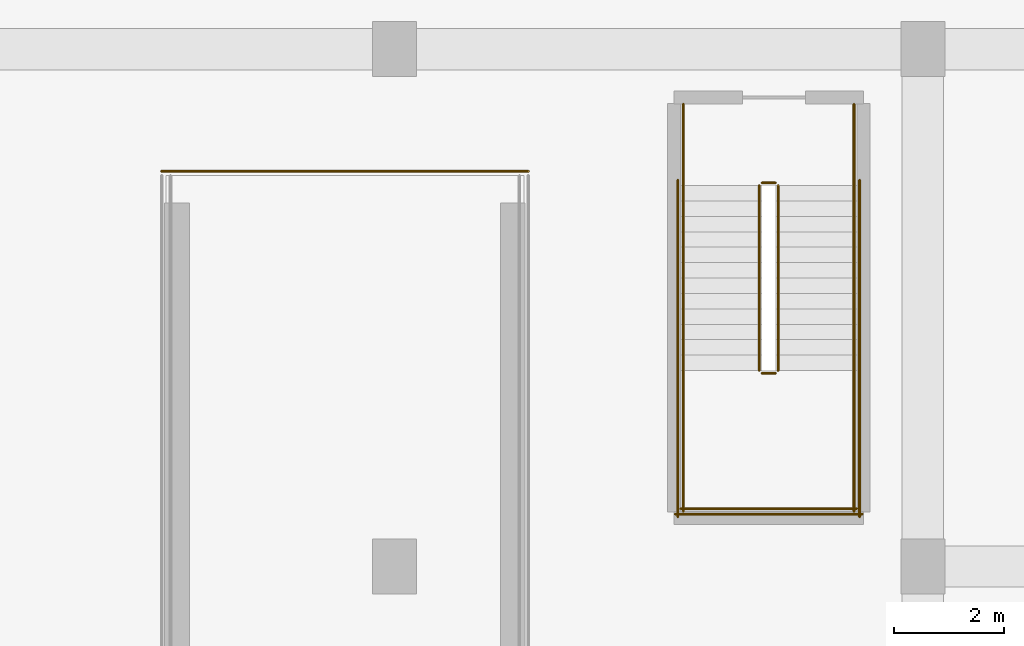
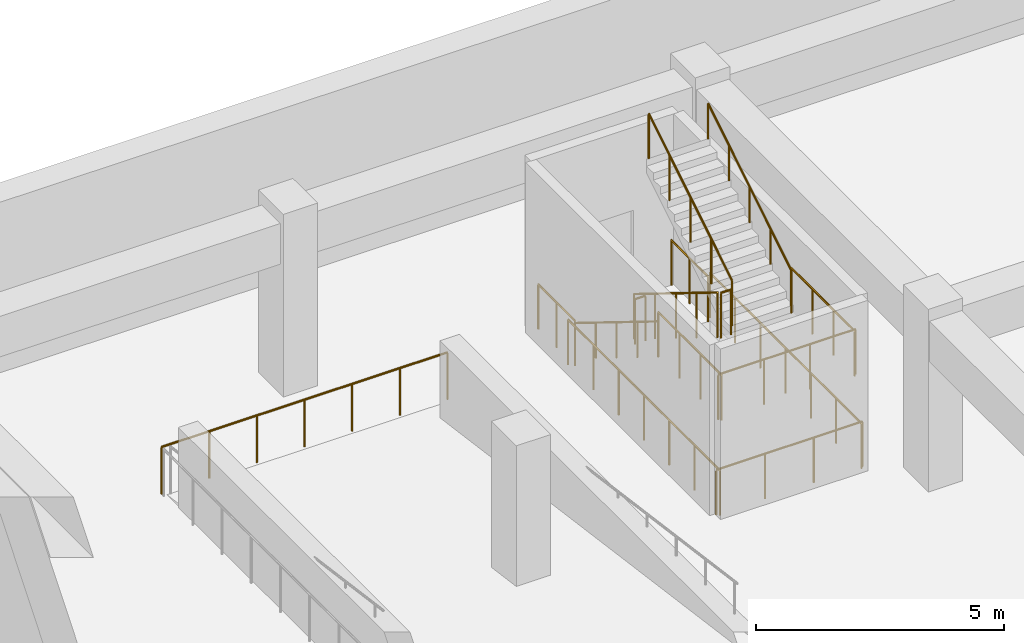
# One storey, part 7 of 9: 15 railings.
"""IFC4 building model written with IfcOpenShell, lengths in metres."""

from ifc_helpers import new_model, si_unit, direction, frame, origin, origin_2d, place, context, subcontext, project, spatial, circle, extrude, material, layer, layer_set, type_object, element, save


model = new_model("IFC4")

# Units and contexts
model_context = context("Model", 3, precision=1e-05, world=origin(), true_north=direction((0.0, 1.0)))
body_context = subcontext(model_context, "Body", "Model", "MODEL_VIEW")
ifc_project = project(units=[si_unit("LENGTHUNIT", "METRE"), si_unit("AREAUNIT", "SQUARE_METRE"), si_unit("VOLUMEUNIT", "CUBIC_METRE"), si_unit("PLANEANGLEUNIT", "RADIAN"), si_unit("MASSUNIT", "GRAM", prefix="KILO")], contexts=[model_context])

# Site, building, storey
site_placement = place(None, origin())
site = spatial("IfcSite", under=ifc_project, at=site_placement, CompositionType="ELEMENT")
building_placement = place(site_placement, origin())
building = spatial("IfcBuilding", under=site, at=building_placement, Name="Ndelora Gate Hotel", CompositionType="ELEMENT")
storey_placement = place(building_placement, frame((0.0, 0.0, -9.0)))
storey = spatial("IfcBuildingStorey", under=building, at=storey_placement, Name="B02", CompositionType="ELEMENT", Elevation=-9.0)

# Railings
ifc_material_1 = material(Name="Galvanized Crash-Rated Steel Guardrail", Category="steel")
ifc_layer_1 = layer(ifc_material_1, 0.080078125)
ifc_layer_set_1 = layer_set([ifc_layer_1], Name="Galvanized Crash-Rated Steel Guardrail")
railing_type_1 = type_object("IfcRailingType", Name="RL-RAMP-GD", PredefinedType="GUARDRAIL", material=ifc_layer_set_1)
railing_1_placement = place(storey_placement, frame((-34.6298828125, 16.580078125, 0.0)))
element("IfcRailing", 1, at=railing_1_placement, inside=storey, type_object=railing_type_1, Name="B02 Ramp R3 Well End Deck Guardrail", PredefinedType="GUARDRAIL", context=body_context, shape_type="SweptSolid", body=[
    extrude(circle(Radius=0.02392578125, at=origin_2d()), frame((0.0, 0.0, 1.15576171875), z_axis=(1.0, 0.0, 0.0), x_axis=(0.0, 1.0, 0.0)), (0.0, 0.0, 1.0), 6.659912109375),
    extrude(circle(Radius=0.02099609375, at=origin_2d()), origin(), (0.0, 0.0, 1.0), 1.1318359375),
    extrude(circle(Radius=0.02099609375, at=origin_2d()), frame((1.10986328125, 0.0, 0.0)), (0.0, 0.0, 1.0), 1.1318359375),
    extrude(circle(Radius=0.02099609375, at=origin_2d()), frame((2.219970703125, 0.0, 0.0)), (0.0, 0.0, 1.0), 1.1318359375),
    extrude(circle(Radius=0.02099609375, at=origin_2d()), frame((3.330078125, 0.0, 0.0)), (0.0, 0.0, 1.0), 1.1318359375),
    extrude(circle(Radius=0.02099609375, at=origin_2d()), frame((4.43994140625, 0.0, 0.0)), (0.0, 0.0, 1.0), 1.1318359375),
    extrude(circle(Radius=0.02099609375, at=origin_2d()), frame((5.5498046875, 0.0, 0.0)), (0.0, 0.0, 1.0), 1.1318359375),
    extrude(circle(Radius=0.02099609375, at=origin_2d()), frame((6.659912109375, 0.0, 0.0)), (0.0, 0.0, 1.0), 1.1318359375),
])
ifc_material_2 = material(Name="Painted Galvanized Steel Balustrade", Category="steel")
ifc_layer_2 = layer(ifc_material_2, 0.06005859375)
ifc_layer_set_2 = layer_set([ifc_layer_2], Name="Painted Galvanized Steel Balustrade")
railing_type_2 = type_object("IfcRailingType", Name="RL-STAIR-GD", PredefinedType="GUARDRAIL", material=ifc_layer_set_2)
railing_2_placement = place(storey_placement, frame((-23.77001953125, 16.320068359375, 0.173095703125)))
element("IfcRailing", 2, at=railing_2_placement, inside=storey, type_object=railing_type_2, Name="B02 ST1 stair guard 1", PredefinedType="GUARDRAIL", context=body_context, shape_type="SweptSolid", body=[
    extrude(circle(Radius=0.02392578125, at=origin_2d()), frame((0.0, 0.0, 1.10595703125), z_axis=(0.0, -0.850623216509, 0.525775754039), x_axis=(1.0, 0.0, 0.0)), (0.0, 0.0, 1.0), 3.9501953125),
    extrude(circle(Radius=0.02099609375, at=origin_2d()), origin(), (0.0, 0.0, 1.0), 1.081787109375),
    extrude(circle(Radius=0.02099609375, at=origin_2d()), frame((0.0, -0.840087890625, 0.519287109375)), (0.0, 0.0, 1.0), 1.081787109375),
    extrude(circle(Radius=0.02099609375, at=origin_2d()), frame((0.0, -1.68017578125, 1.03857421875)), (0.0, 0.0, 1.0), 1.081787109375),
    extrude(circle(Radius=0.02099609375, at=origin_2d()), frame((0.0, -2.52001953125, 1.5576171875)), (0.0, 0.0, 1.0), 1.081787109375),
    extrude(circle(Radius=0.02099609375, at=origin_2d()), frame((0.0, -3.360107421875, 2.076904296875)), (0.0, 0.0, 1.0), 1.081787109375),
])
railing_3_placement = place(storey_placement, frame((-23.719970703125, 12.909912109375, 2.25)))
element("IfcRailing", 3, at=railing_3_placement, inside=storey, type_object=railing_type_2, Name="B02 ST1 stair guard 2", PredefinedType="GUARDRAIL", context=body_context, shape_type="SweptSolid", body=[
    extrude(circle(Radius=0.02392578125, at=origin_2d()), frame((0.0, 0.0, 1.10595703125), z_axis=(1.0, 0.0, 0.0), x_axis=(0.0, 1.0, 0.0)), (0.0, 0.0, 1.0), 0.239990234375),
    extrude(circle(Radius=0.02099609375, at=origin_2d()), origin(), (0.0, 0.0, 1.0), 1.081787109375),
    extrude(circle(Radius=0.02099609375, at=origin_2d()), frame((0.239990234375, 0.0, 0.0)), (0.0, 0.0, 1.0), 1.081787109375),
])
for number, where, name in (
    (4, (-25.14990234375, 12.9599609375, 2.25), "B02 ST1 stair guard 3"),
    (5, (-22.050048828125, 12.9599609375, 2.25), "B02 ST1 stair guard 4"),
):
    element("IfcRailing", number, at=place(storey_placement, frame(where)), inside=storey, type_object=railing_type_2, Name=name, PredefinedType="GUARDRAIL", context=body_context, shape_type="SweptSolid", body=[
        extrude(circle(Radius=0.02392578125, at=origin_2d()), frame((0.0, 0.0, 1.10595703125), z_axis=(0.0, -1.0, 0.0), x_axis=(1.0, 0.0, 0.0)), (0.0, 0.0, 1.0), 2.56005859375),
        extrude(circle(Radius=0.02099609375, at=origin_2d()), origin(), (0.0, 0.0, 1.0), 1.081787109375),
        extrude(circle(Radius=0.02099609375, at=origin_2d()), frame((0.0, -0.853271484375, 0.0)), (0.0, 0.0, 1.0), 1.081787109375),
        extrude(circle(Radius=0.02099609375, at=origin_2d()), frame((0.0, -1.706787109375, 0.0)), (0.0, 0.0, 1.0), 1.081787109375),
        extrude(circle(Radius=0.02099609375, at=origin_2d()), frame((0.0, -2.56005859375, 0.0)), (0.0, 0.0, 1.0), 1.081787109375),
    ])
railing_4_placement = place(storey_placement, frame((-25.199951171875, 10.449951171875, 2.25)))
element("IfcRailing", 6, at=railing_4_placement, inside=storey, type_object=railing_type_2, Name="B02 ST1 stair guard 5", PredefinedType="GUARDRAIL", context=body_context, shape_type="SweptSolid", body=[
    extrude(circle(Radius=0.02392578125, at=origin_2d()), frame((0.0, 0.0, 1.10595703125), z_axis=(1.0, 0.0, 0.0), x_axis=(0.0, 1.0, 0.0)), (0.0, 0.0, 1.0), 3.199951171875),
    extrude(circle(Radius=0.02099609375, at=origin_2d()), origin(), (0.0, 0.0, 1.0), 1.081787109375),
    extrude(circle(Radius=0.02099609375, at=origin_2d()), frame((1.066650390625, 0.0, 0.0)), (0.0, 0.0, 1.0), 1.081787109375),
    extrude(circle(Radius=0.02099609375, at=origin_2d()), frame((2.13330078125, 0.0, 0.0)), (0.0, 0.0, 1.0), 1.081787109375),
    extrude(circle(Radius=0.02099609375, at=origin_2d()), frame((3.199951171875, 0.0, 0.0)), (0.0, 0.0, 1.0), 1.081787109375),
])
railing_5_placement = place(storey_placement, frame((-23.429931640625, 12.9599609375, 2.423095703125)))
element("IfcRailing", 7, at=railing_5_placement, inside=storey, type_object=railing_type_2, Name="B02 ST1 stair guard 6", PredefinedType="GUARDRAIL", context=body_context, shape_type="SweptSolid", body=[
    extrude(circle(Radius=0.02392578125, at=origin_2d()), frame((0.0, 0.0, 1.10595703125), z_axis=(0.0, 0.850623216509, 0.525775754039), x_axis=(-1.0, 0.0, 0.0)), (0.0, 0.0, 1.0), 3.9501953125),
    extrude(circle(Radius=0.02099609375, at=origin_2d()), origin(), (0.0, 0.0, 1.0), 1.081787109375),
    extrude(circle(Radius=0.02099609375, at=origin_2d()), frame((0.0, 0.840087890625, 0.519287109375)), (0.0, 0.0, 1.0), 1.081787109375),
    extrude(circle(Radius=0.02099609375, at=origin_2d()), frame((0.0, 1.68017578125, 1.03857421875)), (0.0, 0.0, 1.0), 1.081787109375),
    extrude(circle(Radius=0.02099609375, at=origin_2d()), frame((0.0, 2.52001953125, 1.5576171875)), (0.0, 0.0, 1.0), 1.081787109375),
    extrude(circle(Radius=0.02099609375, at=origin_2d()), frame((0.0, 3.360107421875, 2.076904296875)), (0.0, 0.0, 1.0), 1.081787109375),
])
railing_6_placement = place(storey_placement, frame((-23.719970703125, 16.3701171875, 0.0)))
element("IfcRailing", 8, at=railing_6_placement, inside=storey, type_object=railing_type_2, Name="B02 ST1 stair guard 7", PredefinedType="GUARDRAIL", context=body_context, shape_type="SweptSolid", body=[
    extrude(circle(Radius=0.02392578125, at=origin_2d()), frame((0.0, 0.0, 1.10595703125), z_axis=(1.0, 0.0, 0.0), x_axis=(0.0, 1.0, 0.0)), (0.0, 0.0, 1.0), 0.239990234375),
    extrude(circle(Radius=0.02099609375, at=origin_2d()), origin(), (0.0, 0.0, 1.0), 1.081787109375),
    extrude(circle(Radius=0.02099609375, at=origin_2d()), frame((0.239990234375, 0.0, 0.0)), (0.0, 0.0, 1.0), 1.081787109375),
])
for number, where, name in (
    (9, (-25.14990234375, 17.800048828125, 0.0), "B02 ST1 stair guard 8"),
    (10, (-22.050048828125, 17.800048828125, 0.0), "B02 ST1 stair guard 9"),
):
    element("IfcRailing", number, at=place(storey_placement, frame(where)), inside=storey, type_object=railing_type_2, Name=name, PredefinedType="GUARDRAIL", context=body_context, shape_type="SweptSolid", body=[
        extrude(circle(Radius=0.02392578125, at=origin_2d()), frame((0.0, 0.0, 1.10595703125), z_axis=(0.0, -1.0, 0.0), x_axis=(1.0, 0.0, 0.0)), (0.0, 0.0, 1.0), 1.47998046875),
        extrude(circle(Radius=0.02099609375, at=origin_2d()), origin(), (0.0, 0.0, 1.0), 1.081787109375),
        extrude(circle(Radius=0.02099609375, at=origin_2d()), frame((0.0, -0.739990234375, 0.0)), (0.0, 0.0, 1.0), 1.081787109375),
        extrude(circle(Radius=0.02099609375, at=origin_2d()), frame((0.0, -1.47998046875, 0.0)), (0.0, 0.0, 1.0), 1.081787109375),
    ])
for number, where, name in (
    (11, (-25.25, 16.419921875, 0.0), "B02 ST1 stair guard 10"),
    (12, (-21.949951171875, 16.419921875, 0.0), "B02 ST1 stair guard 11"),
):
    element("IfcRailing", number, at=place(storey_placement, frame(where)), inside=storey, type_object=railing_type_2, Name=name, PredefinedType="GUARDRAIL", context=body_context, shape_type="SweptSolid", body=[
        extrude(circle(Radius=0.02392578125, at=origin_2d()), frame((0.0, 0.0, 1.10595703125), z_axis=(0.0, -1.0, 0.0), x_axis=(1.0, 0.0, 0.0)), (0.0, 0.0, 1.0), 6.119873046875),
        extrude(circle(Radius=0.02099609375, at=origin_2d()), origin(), (0.0, 0.0, 1.0), 1.081787109375),
        extrude(circle(Radius=0.02099609375, at=origin_2d()), frame((0.0, -1.02001953125, 0.0)), (0.0, 0.0, 1.0), 1.081787109375),
        extrude(circle(Radius=0.02099609375, at=origin_2d()), frame((0.0, -2.0400390625, 0.0)), (0.0, 0.0, 1.0), 1.081787109375),
        extrude(circle(Radius=0.02099609375, at=origin_2d()), frame((0.0, -3.06005859375, 0.0)), (0.0, 0.0, 1.0), 1.081787109375),
        extrude(circle(Radius=0.02099609375, at=origin_2d()), frame((0.0, -4.079833984375, 0.0)), (0.0, 0.0, 1.0), 1.081787109375),
        extrude(circle(Radius=0.02099609375, at=origin_2d()), frame((0.0, -5.099853515625, 0.0)), (0.0, 0.0, 1.0), 1.081787109375),
        extrude(circle(Radius=0.02099609375, at=origin_2d()), frame((0.0, -6.119873046875, 0.0)), (0.0, 0.0, 1.0), 1.081787109375),
    ])
railing_7_placement = place(storey_placement, frame((-25.300048828125, 10.35009765625, 0.0)))
element("IfcRailing", 13, at=railing_7_placement, inside=storey, type_object=railing_type_2, Name="B02 ST1 stair guard 12", PredefinedType="GUARDRAIL", context=body_context, shape_type="SweptSolid", body=[
    extrude(circle(Radius=0.02392578125, at=origin_2d()), frame((0.0, 0.0, 1.10595703125), z_axis=(1.0, 0.0, 0.0), x_axis=(0.0, 1.0, 0.0)), (0.0, 0.0, 1.0), 3.400146484375),
    extrude(circle(Radius=0.02099609375, at=origin_2d()), origin(), (0.0, 0.0, 1.0), 1.081787109375),
    extrude(circle(Radius=0.02099609375, at=origin_2d()), frame((1.13330078125, 0.0, 0.0)), (0.0, 0.0, 1.0), 1.081787109375),
    extrude(circle(Radius=0.02099609375, at=origin_2d()), frame((2.266845703125, 0.0, 0.0)), (0.0, 0.0, 1.0), 1.081787109375),
    extrude(circle(Radius=0.02099609375, at=origin_2d()), frame((3.400146484375, 0.0, 0.0)), (0.0, 0.0, 1.0), 1.081787109375),
])
ifc_material_3 = material(Name="Brushed Stainless Steel 316", Category="steel")
ifc_layer_3 = layer(ifc_material_3, 0.050048828125)
ifc_layer_set_3 = layer_set([ifc_layer_3], Name="Brushed Stainless Steel 316")
railing_type_3 = type_object("IfcRailingType", Name="RL-STAIR-HR", PredefinedType="HANDRAIL", material=ifc_layer_set_3)
railing_8_placement = place(storey_placement, frame((-25.14990234375, 16.320068359375, 0.173095703125)))
element("IfcRailing", 14, at=railing_8_placement, inside=storey, type_object=railing_type_3, Name="B02 ST1 stair handrail 1", PredefinedType="HANDRAIL", context=body_context, shape_type="SweptSolid", body=[
    extrude(circle(Radius=0.02392578125, at=origin_2d()), frame((0.0, 0.0, 0.8759765625), z_axis=(0.0, -0.850623216509, 0.525775754039), x_axis=(1.0, 0.0, 0.0)), (0.0, 0.0, 1.0), 3.9501953125),
    extrude(circle(Radius=0.02099609375, at=origin_2d()), origin(), (0.0, 0.0, 1.0), 0.851806640625),
    extrude(circle(Radius=0.02099609375, at=origin_2d()), frame((0.0, -0.840087890625, 0.519287109375)), (0.0, 0.0, 1.0), 0.851806640625),
    extrude(circle(Radius=0.02099609375, at=origin_2d()), frame((0.0, -1.68017578125, 1.03857421875)), (0.0, 0.0, 1.0), 0.851806640625),
    extrude(circle(Radius=0.02099609375, at=origin_2d()), frame((0.0, -2.52001953125, 1.5576171875)), (0.0, 0.0, 1.0), 0.851806640625),
    extrude(circle(Radius=0.02099609375, at=origin_2d()), frame((0.0, -3.360107421875, 2.076904296875)), (0.0, 0.0, 1.0), 0.851806640625),
])
railing_9_placement = place(storey_placement, frame((-22.050048828125, 12.9599609375, 2.423095703125)))
element("IfcRailing", 15, at=railing_9_placement, inside=storey, type_object=railing_type_3, Name="B02 ST1 stair handrail 2", PredefinedType="HANDRAIL", context=body_context, shape_type="SweptSolid", body=[
    extrude(circle(Radius=0.02392578125, at=origin_2d()), frame((0.0, 0.0, 0.8759765625), z_axis=(0.0, 0.850623216509, 0.525775754039), x_axis=(-1.0, 0.0, 0.0)), (0.0, 0.0, 1.0), 3.9501953125),
    extrude(circle(Radius=0.02099609375, at=origin_2d()), origin(), (0.0, 0.0, 1.0), 0.851806640625),
    extrude(circle(Radius=0.02099609375, at=origin_2d()), frame((0.0, 0.840087890625, 0.519287109375)), (0.0, 0.0, 1.0), 0.851806640625),
    extrude(circle(Radius=0.02099609375, at=origin_2d()), frame((0.0, 1.68017578125, 1.03857421875)), (0.0, 0.0, 1.0), 0.851806640625),
    extrude(circle(Radius=0.02099609375, at=origin_2d()), frame((0.0, 2.52001953125, 1.5576171875)), (0.0, 0.0, 1.0), 0.851806640625),
    extrude(circle(Radius=0.02099609375, at=origin_2d()), frame((0.0, 3.360107421875, 2.076904296875)), (0.0, 0.0, 1.0), 0.851806640625),
])

save(model, "model.ifc")
